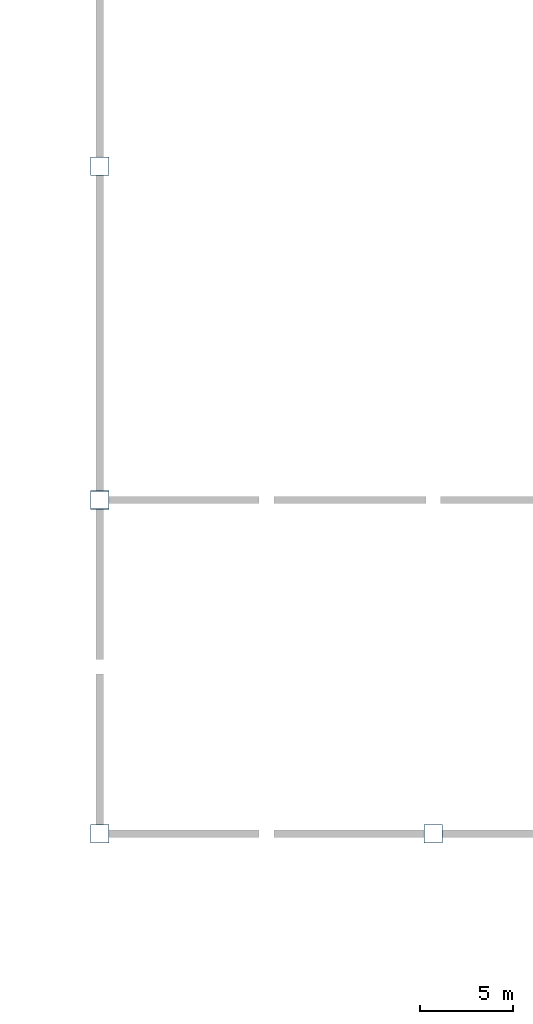
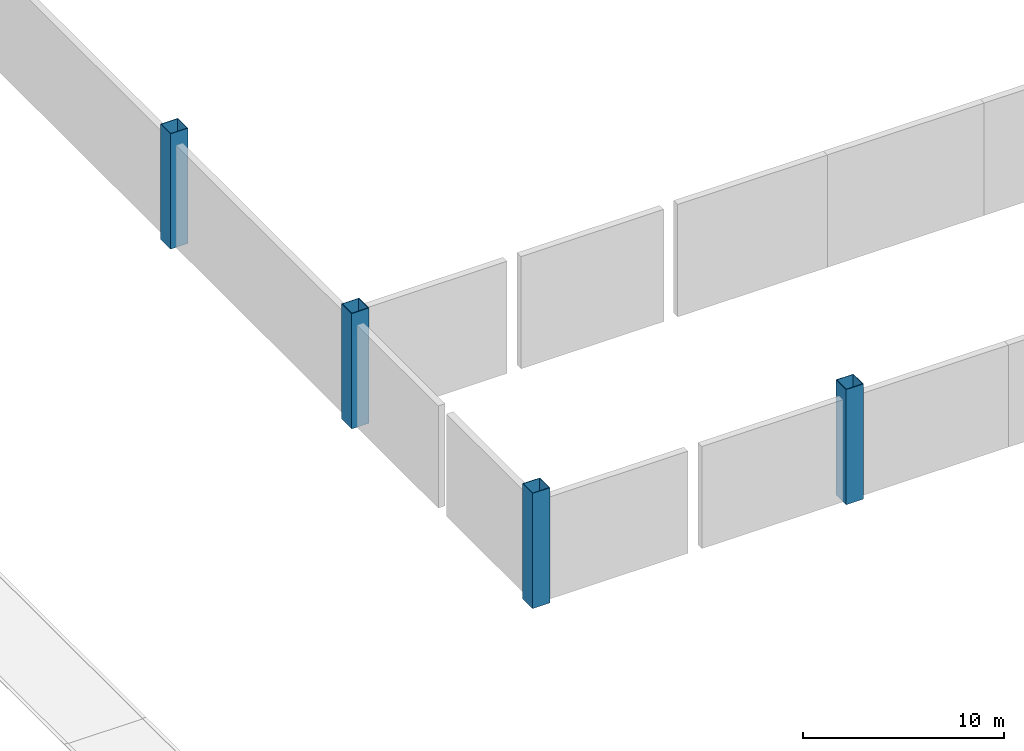
# One storey, part 1 of 85: 4 columns.
"""IFC4 building model written with IfcOpenShell, lengths in metres."""

from ifc_helpers import new_model, si_unit, direction, frame, origin, origin_2d, place, context, subcontext, project, spatial, hollow_rectangle, extrude, material, material_profile, profile_set, type_object, element, save


model = new_model("IFC4")

# Units and contexts
model_context = context("Model", 3, precision=1e-05, world=origin(), true_north=direction((0.0, 1.0)))
body_context = subcontext(model_context, "Body", "Model", "MODEL_VIEW")
ifc_project = project(units=[si_unit("LENGTHUNIT", "METRE"), si_unit("AREAUNIT", "SQUARE_METRE"), si_unit("VOLUMEUNIT", "CUBIC_METRE"), si_unit("PLANEANGLEUNIT", "RADIAN"), si_unit("MASSUNIT", "GRAM", prefix="KILO")], contexts=[model_context])

# Site, building, storey
site_placement = place(None, origin())
site = spatial("IfcSite", under=ifc_project, at=site_placement, CompositionType="ELEMENT")
building_placement = place(site_placement, origin())
building = spatial("IfcBuilding", under=site, at=building_placement, Name="Opaline Strait Convention Centre", CompositionType="ELEMENT")
storey_placement = place(building_placement, frame((0.0, 0.0, 17.0)))
storey = spatial("IfcBuildingStorey", under=building, at=storey_placement, Name="L03", CompositionType="ELEMENT", Elevation=17.0)

# Columns
ifc_material = material(Name="Steel Q355B", Category="steel")
ifc_material_profile = material_profile(ifc_material, hollow_rectangle(XDim=1.0, YDim=1.0, WallThickness=0.031982421875, at=origin_2d()), Name="BOX 1000x1000x32")
ifc_profile_set = profile_set([ifc_material_profile], Name="Steel Q355B")
column_type = type_object("IfcColumnType", Name="CFT column BOX 1000x1000x32 C60 fill", PredefinedType="COLUMN", material=ifc_profile_set)
for number, where, z_axis, x_axis, name in (
    (1, (99.0, 54.0, 0.0), (0.0, 0.0, 1.0), (1.0, 0.0, 0.0), "Roof column XC-01"),
    (2, (99.0, 72.0, 0.0), (0.0, 0.0, 1.0), (1.0, 0.0, 0.0), "Roof column XC-02"),
    (3, (99.0, 90.0, 0.0), (0.0, 0.0, 1.0), (1.0, 0.0, 0.0), "Roof column XC-03"),
    (4, (117.0, 54.0, 0.0), (0.0, 0.0, 1.0), (1.0, 0.0, 0.0), "Roof column XC-08"),
):
    element("IfcColumn", number, at=place(storey_placement, frame(where, z_axis=z_axis, x_axis=x_axis)), inside=storey, type_object=column_type, Name=name, ObjectType="XC1", PredefinedType="COLUMN", context=body_context, shape_type="SweptSolid", body=[
        extrude(hollow_rectangle(XDim=1.0, YDim=1.0, WallThickness=0.031982421875, at=origin_2d()), origin(), (0.0, 0.0, 1.0), 7.0),
    ])

save(model, "model.ifc")
